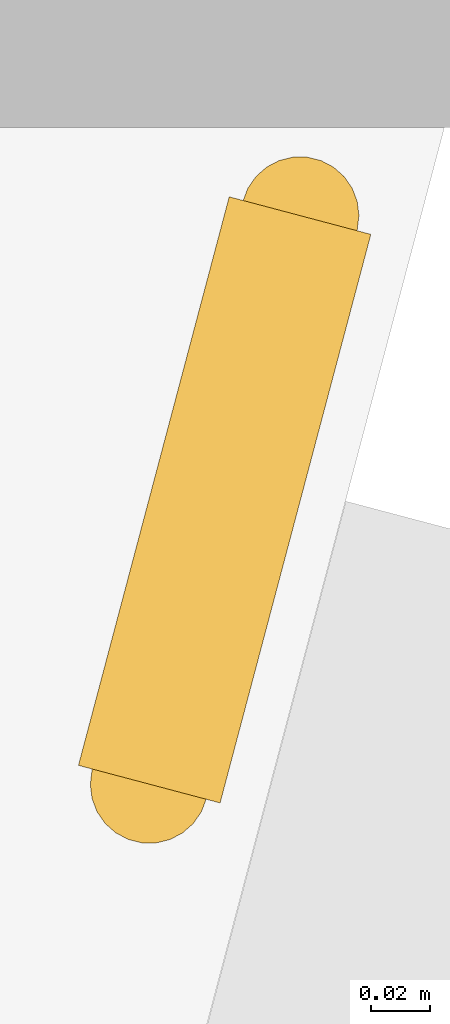
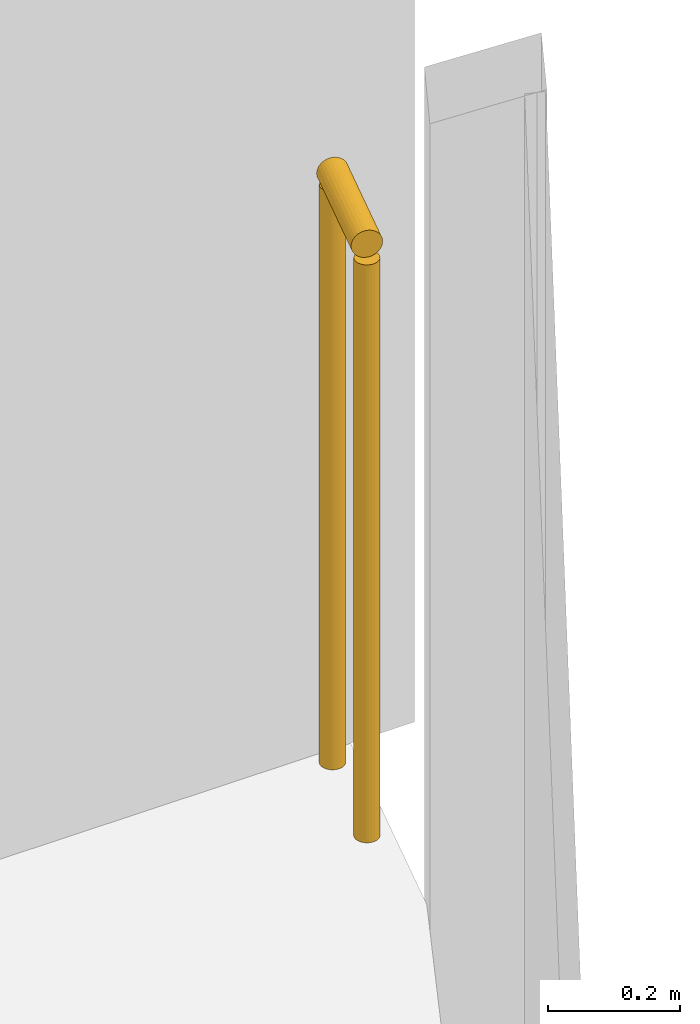
# One storey, part 34 of 35: 1 railing.
"""IFC4 building model written with IfcOpenShell, lengths in metres."""

from ifc_helpers import new_model, si_unit, direction, frame, origin, origin_2d, place, context, subcontext, project, spatial, circle, extrude, material, type_object, element, save


model = new_model("IFC4")

# Units and contexts
model_context = context("Model", 3, precision=1e-05, world=origin(), true_north=direction((0.0, 1.0)))
body_context = subcontext(model_context, "Body", "Model", "MODEL_VIEW")
ifc_project = project(units=[si_unit("LENGTHUNIT", "METRE"), si_unit("AREAUNIT", "SQUARE_METRE"), si_unit("VOLUMEUNIT", "CUBIC_METRE"), si_unit("PLANEANGLEUNIT", "RADIAN"), si_unit("MASSUNIT", "GRAM", prefix="KILO")], contexts=[model_context])

# Site, building, storey
site_placement = place(None, origin())
site = spatial("IfcSite", under=ifc_project, at=site_placement, CompositionType="ELEMENT")
building_placement = place(site_placement, origin())
building = spatial("IfcBuilding", under=site, at=building_placement, Name="Orlundy Tower", CompositionType="ELEMENT")
storey_placement = place(building_placement, frame((0.0, 0.0, 116.199951171875)))
storey = spatial("IfcBuildingStorey", under=building, at=storey_placement, Name="L29", CompositionType="ELEMENT", Elevation=116.199951171875)

# Railing
ifc_material = material(Name="Stainless steel bronze finish", Category="steel")
railing_type = type_object("IfcRailingType", Name="TG1 terrace guard", PredefinedType="GUARDRAIL", material=ifc_material)
railing_placement = place(storey_placement, frame((55.85986328125, -25.241943359375, 0.0)))
element("IfcRailing", 1, at=railing_placement, inside=storey, type_object=railing_type, Name="Guard TG-L29-E00", PredefinedType="GUARDRAIL", context=body_context, shape_type="SweptSolid", body=[
    extrude(circle(Radius=0.02490234375, at=origin_2d()), frame((0.0, 0.0, 1.09521484375), z_axis=(-0.256295080352, -0.966598588757, 0.0), x_axis=(0.966598588757, -0.256295080352, 0.0)), (0.0, 0.0, 1.0), 0.199951171875),
    extrude(circle(Radius=0.02001953125, at=origin_2d()), origin(), (0.0, 0.0, 1.0), 1.070068359375),
    extrude(circle(Radius=0.02001953125, at=origin_2d()), frame((-0.05126953125, -0.193359375, 0.0)), (0.0, 0.0, 1.0), 1.070068359375),
])

save(model, "model.ifc")
